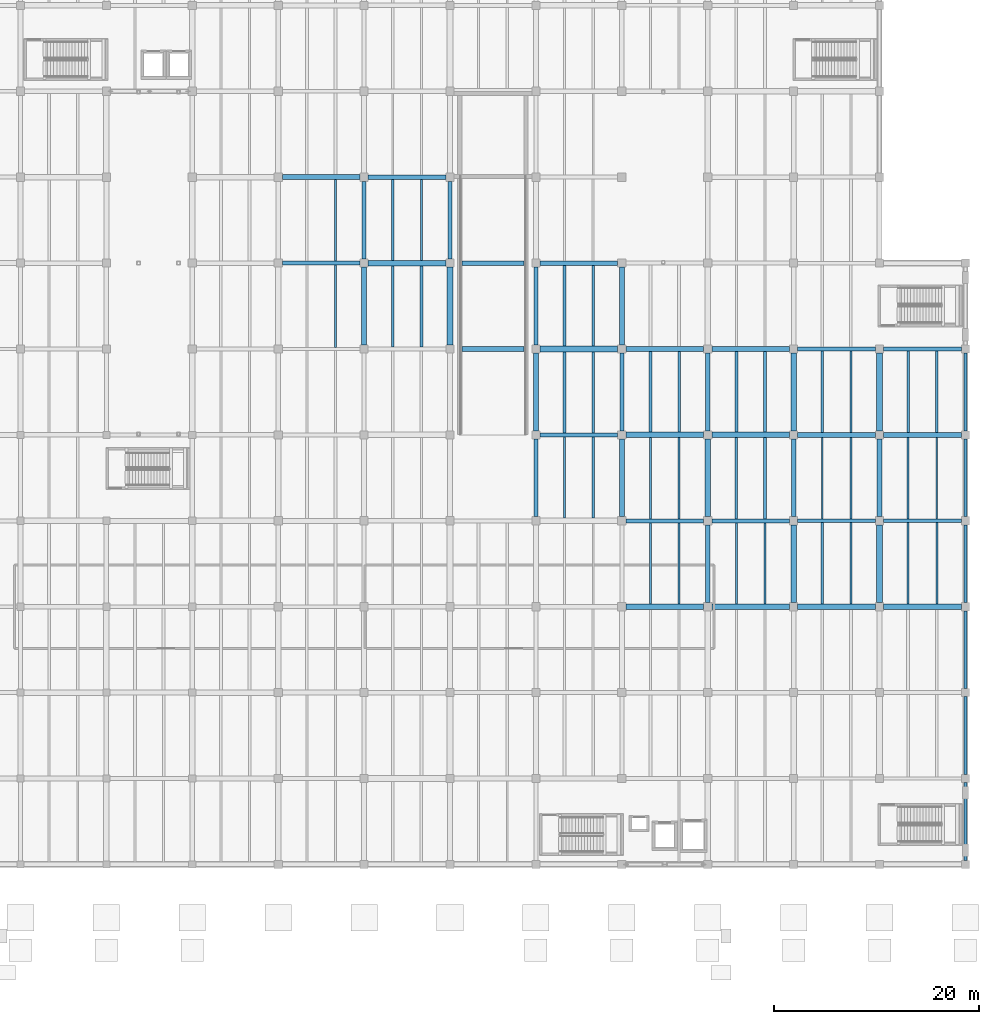
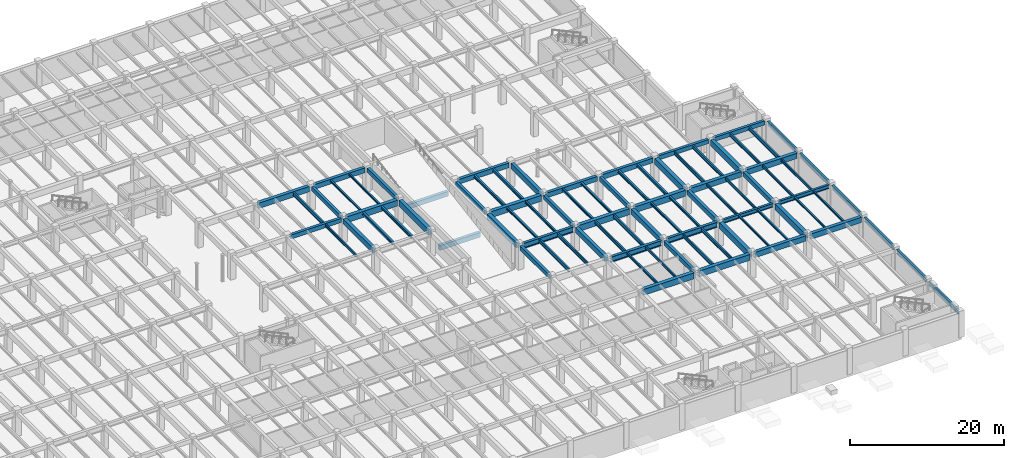
# One storey, part 24 of 63: 86 beams.
"""IFC4 building model written with IfcOpenShell, lengths in metres."""

import ifcopenshell
import ifcopenshell.guid

model = None  # the IFC model being written
_history = None  # IfcOwnerHistory: only IFC2X3 demands one
_inside = {}  # id of a spatial element -> (the spatial element, [elements in it])
_under = {}  # id of a project, library or spatial element -> (it, [spatial elements below it])
_declared = {}  # id of a project -> (the project, [libraries it declares])
_typed = {}  # id of a type object -> (the type object, [elements of that type])
_made_of = {}  # id of a material, layer set ... -> (it, [elements and type objects made of it])


def new_model(schema):
    """Start an empty IFC model of exactly this schema.

    Asked for "IFC4X3", IfcOpenShell would pick the latest addendum, in which some entities
    have other attributes; the version numbers below select the first issue.
    IFC2X3 requires an IfcOwnerHistory on every rooted entity: one is made here for all.
    """
    global model, _history
    if schema == "IFC4X3":
        model = ifcopenshell.file(schema_version=(4, 3, 0, 0))
    else:
        model = ifcopenshell.file(schema=schema)
    _inside.clear()
    _under.clear()
    _declared.clear()
    _typed.clear()
    _made_of.clear()
    _history = None
    if model.schema == "IFC2X3":
        org = make("IfcOrganization", Name="unknown")
        user = make(
            "IfcPersonAndOrganization",
            ThePerson=make("IfcPerson", FamilyName="unknown"),
            TheOrganization=org,
        )
        app = make(
            "IfcApplication",
            ApplicationDeveloper=org,
            Version="unknown",
            ApplicationFullName="unknown",
            ApplicationIdentifier="unknown",
        )
        _history = make(
            "IfcOwnerHistory",
            OwningUser=user,
            OwningApplication=app,
            ChangeAction="ADDED",
            CreationDate=0,
        )
    return model


def make(cls, **values):
    """One entity of the class cls with the attributes given. An attribute that is None is left unset."""
    return model.create_entity(
        cls, **{name: value for name, value in values.items() if value is not None}
    )


def rooted(cls, **values):
    """An entity with a GlobalId (a new one), such as an element, a storey or a relation."""
    return make(cls, GlobalId=ifcopenshell.guid.new(), OwnerHistory=_history, **values)


def si_unit(unit_type, name, prefix=None):
    """IfcSIUnit, for example si_unit("LENGTHUNIT", "METRE", prefix="MILLI")."""
    return make("IfcSIUnit", UnitType=unit_type, Prefix=prefix, Name=name)


def assignment(units):
    """IfcUnitAssignment: the units of a project."""
    return None if units is None else make("IfcUnitAssignment", Units=units)


def point(xyz):
    """IfcCartesianPoint."""
    return None if xyz is None else make("IfcCartesianPoint", Coordinates=xyz)


def direction(xyz):
    """IfcDirection."""
    return None if xyz is None else make("IfcDirection", DirectionRatios=xyz)


def frame(location, z_axis=None, x_axis=None):
    """IfcAxis2Placement3D, a coordinate frame: its origin and axes. An axis left out is left unset."""
    return make(
        "IfcAxis2Placement3D",
        Location=point(location),
        Axis=direction(z_axis),
        RefDirection=direction(x_axis),
    )


def frame_2d(location, x_axis=None):
    """IfcAxis2Placement2D, a coordinate frame in the plane: its origin and x axis."""
    return make(
        "IfcAxis2Placement2D", Location=point(location), RefDirection=direction(x_axis)
    )


def origin():
    """The frame at (0, 0, 0) with its axes left unset."""
    return frame((0.0, 0.0, 0.0))


def origin_2d():
    """The frame at (0, 0) in the plane with its x axis left unset."""
    return frame_2d((0.0, 0.0))


def place(relative_to, where):
    """IfcLocalPlacement: puts the frame where relative to a parent placement (None: the world)."""
    return make(
        "IfcLocalPlacement", PlacementRelTo=relative_to, RelativePlacement=where
    )


def context(
    kind, dimensions, precision=None, world=None, true_north=None, identifier=None
):
    """IfcGeometricRepresentationContext, for example the 3D "Model" context."""
    return make(
        "IfcGeometricRepresentationContext",
        ContextIdentifier=identifier,
        ContextType=kind,
        CoordinateSpaceDimension=dimensions,
        Precision=precision,
        WorldCoordinateSystem=world,
        TrueNorth=true_north,
    )


def subcontext(parent, identifier, kind, view, scale=None):
    """IfcGeometricRepresentationSubContext, for example "Body" below "Model"."""
    return make(
        "IfcGeometricRepresentationSubContext",
        ContextIdentifier=identifier,
        ContextType=kind,
        ParentContext=parent,
        TargetScale=scale,
        TargetView=view,
    )


def project(units=None, contexts=None):
    """IfcProject with its units and contexts."""
    return rooted(
        "IfcProject",
        Name="project",
        RepresentationContexts=contexts,
        UnitsInContext=assignment(units),
    )


def spatial(cls, under=None, at=None, **own):
    """A site, building, storey or space (cls), placed at a placement, below another one or the project."""
    s = rooted(cls, ObjectPlacement=at, **own)
    if under is not None:
        _under.setdefault(under.id(), (under, []))[1].append(s)
    return s


def profile(cls, at=None, kind="AREA", **sizes):
    """A parametric profile (cls). Its sizes go by their IFC names, for example OverallWidth=200.0."""
    return make(cls, ProfileType=kind, Position=at, **sizes)


def rectangle(**sizes):
    """IfcRectangleProfileDef."""
    return profile("IfcRectangleProfileDef", **sizes)


def i_section(**sizes):
    """IfcIShapeProfileDef."""
    return profile("IfcIShapeProfileDef", **sizes)


def extrude(swept, where, along, depth):
    """IfcExtrudedAreaSolid: the profile swept, set in the frame where, extruded along a direction by depth."""
    return make(
        "IfcExtrudedAreaSolid",
        SweptArea=swept,
        Position=where,
        ExtrudedDirection=direction(along),
        Depth=depth,
    )


def shape(context_of_items, identifier, shape_type, items):
    """IfcShapeRepresentation: the items that make up one representation, for example the "Body"."""
    return make(
        "IfcShapeRepresentation",
        ContextOfItems=context_of_items,
        RepresentationIdentifier=identifier,
        RepresentationType=shape_type,
        Items=items,
    )


def material(Name=None, Category=None):
    """IfcMaterial."""
    return make("IfcMaterial", Name=Name, Category=Category)


def material_profile(
    of_material, cross_section, Name=None, Category=None, Priority=None
):
    """IfcMaterialProfile: a cross section and its material."""
    return make(
        "IfcMaterialProfile",
        Name=Name,
        Material=of_material,
        Profile=cross_section,
        Priority=Priority,
        Category=Category,
    )


def profile_set(profiles, Name=None, composite=None):
    """IfcMaterialProfileSet."""
    return make(
        "IfcMaterialProfileSet",
        Name=Name,
        MaterialProfiles=profiles,
        CompositeProfile=composite,
    )


def made_of(thing, what):
    """Note that an element or type object is made of a material, layer set ...; save() writes the relation."""
    if what is not None:
        _made_of.setdefault(what.id(), (what, []))[1].append(thing)
    return thing


def type_object(cls, material=None, **own):
    """A type object (cls), such as IfcWallType, which elements share."""
    return made_of(rooted(cls, **own), material)


def element(
    cls,
    number,
    at=None,
    inside=None,
    cuts=None,
    type_object=None,
    material=None,
    context=None,
    identifier="Body",
    shape_type=None,
    held_by="IfcProductDefinitionShape",
    body=None,
    shapes=None,
    **own,
):
    """One element of the class cls, such as IfcWall. Its Tag is "e" and its number.

    at: its placement. inside: the storey or other place that contains it. cuts: it is an
    opening in that element (IfcRelVoidsElement). A single representation is given by context,
    identifier, shape_type and body (its items); several are given by shapes. held_by: the class
    of the entity that holds the representations. save() writes the other relations.
    """
    e = rooted(cls, Tag="e%d" % number, ObjectPlacement=at, **own)
    if body is not None:
        shapes = [shape(context, identifier, shape_type, body)]
    if shapes is not None:
        e.Representation = make(held_by, Representations=shapes)
    if inside is not None:
        _inside.setdefault(inside.id(), (inside, []))[1].append(e)
    if cuts is not None:
        rooted(
            "IfcRelVoidsElement", RelatingBuildingElement=cuts, RelatedOpeningElement=e
        )
    if type_object is not None:
        _typed.setdefault(type_object.id(), (type_object, []))[1].append(e)
    return made_of(e, material)


def aggregate(whole, parts):
    """IfcRelAggregates: a whole, such as a stair, and the parts it consists of."""
    return rooted("IfcRelAggregates", RelatingObject=whole, RelatedObjects=parts)


def save(model, path):
    """Write the relations noted so far, then the file.

    IfcRelAggregates (storeys below a building ...), IfcRelContainedInSpatialStructure (elements
    in a storey), IfcRelDefinesByType, IfcRelAssociatesMaterial and IfcRelDeclares: one each for
    every whole, place, type object, material and project.
    """
    for whole, parts in _under.values():
        aggregate(whole, parts)
    for where, things in _inside.values():
        rooted(
            "IfcRelContainedInSpatialStructure",
            RelatedElements=things,
            RelatingStructure=where,
        )
    for kind, things in _typed.values():
        rooted("IfcRelDefinesByType", RelatedObjects=things, RelatingType=kind)
    for what, things in _made_of.values():
        rooted("IfcRelAssociatesMaterial", RelatedObjects=things, RelatingMaterial=what)
    for by, libraries in _declared.values():
        rooted("IfcRelDeclares", RelatingContext=by, RelatedDefinitions=libraries)
    model.write(path)


model = new_model("IFC4")

# Units and contexts
model_context = context("Model", 3, precision=1e-05, world=origin(), true_north=direction((0.0, 1.0)))
body_context = subcontext(model_context, "Body", "Model", "MODEL_VIEW")
ifc_project = project(units=[si_unit("LENGTHUNIT", "METRE"), si_unit("AREAUNIT", "SQUARE_METRE"), si_unit("VOLUMEUNIT", "CUBIC_METRE"), si_unit("PLANEANGLEUNIT", "RADIAN"), si_unit("MASSUNIT", "GRAM", prefix="KILO")], contexts=[model_context])

# Site, building, storey
site_placement = place(None, origin())
site = spatial("IfcSite", under=ifc_project, at=site_placement, CompositionType="ELEMENT")
building_placement = place(site_placement, origin())
building = spatial("IfcBuilding", under=site, at=building_placement, Name="Cumbredor Promenade Congress Hotel", CompositionType="ELEMENT")
storey_placement = place(building_placement, frame((0.0, 0.0, -4.199951171875)))
storey = spatial("IfcBuildingStorey", under=building, at=storey_placement, Name="B01", CompositionType="ELEMENT", Elevation=-4.199951171875)

# Beams
ifc_material_1 = material(Name="Concrete C40/50", Category="concrete")
ifc_material_profile_1 = material_profile(ifc_material_1, rectangle(XDim=0.39990234375, YDim=0.64990234375, at=origin_2d()), Name="RC BEAM 400x650")
ifc_profile_set_1 = profile_set([ifc_material_profile_1], Name="Concrete C40/50")
beam_type_1 = type_object("IfcBeamType", Name="BM-RC-400x650", PredefinedType="BEAM", material=ifc_profile_set_1)
beam_1_placement = place(storey_placement, frame((118.0, 67.199951171875, 3.52490234375), z_axis=(1.0, 0.0, 0.0), x_axis=(0.0, 1.0, 0.0)))
element("IfcBeam", 1, at=beam_1_placement, inside=storey, type_object=beam_type_1, Name="L00 X-Grid Beam 343", PredefinedType="BEAM", context=body_context, shape_type="SweptSolid", body=[
    extrude(rectangle(XDim=0.39990234375, YDim=0.64990234375, at=origin_2d()), origin(), (0.0, 0.0, 1.0), 7.60009765625),
])
for number, where, z_axis, x_axis, name in (
    (2, (126.0, 67.60009765625, 3.52490234375), (0.0, 1.0, 0.0), (-1.0, 0.0, 0.0), "L00 Y-Grid Beam 371"),
    (3, (134.39990234375, 67.60009765625, 3.52490234375), (0.0, 1.0, 0.0), (-1.0, 0.0, 0.0), "L00 Y-Grid Beam 395"),
):
    element("IfcBeam", number, at=place(storey_placement, frame(where, z_axis=z_axis, x_axis=x_axis)), inside=storey, type_object=beam_type_1, Name=name, PredefinedType="BEAM", context=body_context, shape_type="SweptSolid", body=[
        extrude(rectangle(XDim=0.39990234375, YDim=0.64990234375, at=origin_2d()), origin(), (0.0, 0.0, 1.0), 7.599853515625),
    ])
for number, where, z_axis, x_axis, name in (
    (4, (142.800048828125, 42.39990234375, 3.52490234375), (0.0, 1.0, 0.0), (-1.0, 0.0, 0.0), "L00 Y-Grid Beam 415"),
    (5, (142.800048828125, 59.199951171875, 3.52490234375), (0.0, 1.0, 0.0), (-1.0, 0.0, 0.0), "L00 Y-Grid Beam 419"),
):
    element("IfcBeam", number, at=place(storey_placement, frame(where, z_axis=z_axis, x_axis=x_axis)), inside=storey, type_object=beam_type_1, Name=name, PredefinedType="BEAM", context=body_context, shape_type="SweptSolid", body=[
        extrude(rectangle(XDim=0.39990234375, YDim=0.64990234375, at=origin_2d()), origin(), (0.0, 0.0, 1.0), 7.60009765625),
    ])
beam_2_placement = place(storey_placement, frame((151.199951171875, 50.800048828125, 3.52490234375), z_axis=(0.0, 1.0, 0.0), x_axis=(-1.0, 0.0, 0.0)))
element("IfcBeam", 6, at=beam_2_placement, inside=storey, type_object=beam_type_1, Name="L00 Y-Grid Beam 443", PredefinedType="BEAM", context=body_context, shape_type="SweptSolid", body=[
    extrude(rectangle(XDim=0.39990234375, YDim=0.64990234375, at=origin_2d()), origin(), (0.0, 0.0, 1.0), 7.599853515625),
])
beam_3_placement = place(storey_placement, frame((159.60009765625, 34.0, 3.52490234375), z_axis=(0.0, 1.0, 0.0), x_axis=(-1.0, 0.0, 0.0)))
element("IfcBeam", 7, at=beam_3_placement, inside=storey, type_object=beam_type_1, Name="L00 Y-Grid Beam 463", PredefinedType="BEAM", context=body_context, shape_type="SweptSolid", body=[
    extrude(rectangle(XDim=0.39990234375, YDim=0.64990234375, at=origin_2d()), origin(), (0.0, 0.0, 1.0), 7.60009765625),
])
beam_4_placement = place(storey_placement, frame((159.60009765625, 50.800048828125, 3.52490234375), z_axis=(0.0, 1.0, 0.0), x_axis=(-1.0, 0.0, 0.0)))
element("IfcBeam", 8, at=beam_4_placement, inside=storey, type_object=beam_type_1, Name="L00 Y-Grid Beam 467", PredefinedType="BEAM", context=body_context, shape_type="SweptSolid", body=[
    extrude(rectangle(XDim=0.39990234375, YDim=0.64990234375, at=origin_2d()), origin(), (0.0, 0.0, 1.0), 7.599853515625),
])
beam_5_placement = place(storey_placement, frame((168.39990234375, 58.800048828125, 3.52490234375), z_axis=(1.0, 0.0, 0.0), x_axis=(0.0, 1.0, 0.0)))
element("IfcBeam", 9, at=beam_5_placement, inside=storey, type_object=beam_type_1, Name="L00 X-Grid Beam 495", PredefinedType="BEAM", context=body_context, shape_type="SweptSolid", body=[
    extrude(rectangle(XDim=0.39990234375, YDim=0.64990234375, at=origin_2d()), origin(), (0.0, 0.0, 1.0), 7.60009765625),
])
beam_6_placement = place(storey_placement, frame((176.800048828125, 58.800048828125, 3.52490234375), z_axis=(1.0, 0.0, 0.0), x_axis=(0.0, 1.0, 0.0)))
element("IfcBeam", 10, at=beam_6_placement, inside=storey, type_object=beam_type_1, Name="L00 X-Grid Beam 519", PredefinedType="BEAM", context=body_context, shape_type="SweptSolid", body=[
    extrude(rectangle(XDim=0.39990234375, YDim=0.64990234375, at=origin_2d()), origin(), (0.0, 0.0, 1.0), 7.599853515625),
])
ifc_material_profile_2 = material_profile(ifc_material_1, rectangle(XDim=0.449951171875, YDim=0.75, at=origin_2d()), Name="RC BEAM 450x750")
ifc_profile_set_2 = profile_set([ifc_material_profile_2], Name="Concrete C40/50")
beam_type_2 = type_object("IfcBeamType", Name="BM-RC-450x750", PredefinedType="BEAM", material=ifc_profile_set_2)
for number, where, z_axis, x_axis, name in (
    (11, (126.39990234375, 75.60009765625, 3.474853515625), (1.0, 0.0, 0.0), (0.0, 1.0, 0.0), "L00 X-Grid Beam 372"),
    (12, (143.199951171875, 67.199951171875, 3.474853515625), (1.0, 0.0, 0.0), (0.0, 1.0, 0.0), "L00 X-Grid Beam 420"),
):
    element("IfcBeam", number, at=place(storey_placement, frame(where, z_axis=z_axis, x_axis=x_axis)), inside=storey, type_object=beam_type_2, Name=name, PredefinedType="BEAM", context=body_context, shape_type="SweptSolid", body=[
        extrude(rectangle(XDim=0.449951171875, YDim=0.75, at=origin_2d()), origin(), (0.0, 0.0, 1.0), 7.60009765625),
    ])
beam_7_placement = place(storey_placement, frame((151.60009765625, 58.800048828125, 3.474853515625), z_axis=(1.0, 0.0, 0.0), x_axis=(0.0, 1.0, 0.0)))
element("IfcBeam", 13, at=beam_7_placement, inside=storey, type_object=beam_type_2, Name="L00 X-Grid Beam 444", PredefinedType="BEAM", context=body_context, shape_type="SweptSolid", body=[
    extrude(rectangle(XDim=0.449951171875, YDim=0.75, at=origin_2d()), origin(), (0.0, 0.0, 1.0), 7.599853515625),
])
for number, where, z_axis, x_axis, name in (
    (14, (160.0, 58.800048828125, 3.474853515625), (1.0, 0.0, 0.0), (0.0, 1.0, 0.0), "L00 X-Grid Beam 468"),
    (15, (168.0, 42.39990234375, 3.474853515625), (0.0, 1.0, 0.0), (-1.0, 0.0, 0.0), "L00 Y-Grid Beam 492"),
    (16, (176.39990234375, 42.39990234375, 3.474853515625), (0.0, 1.0, 0.0), (-1.0, 0.0, 0.0), "L00 Y-Grid Beam 516"),
):
    element("IfcBeam", number, at=place(storey_placement, frame(where, z_axis=z_axis, x_axis=x_axis)), inside=storey, type_object=beam_type_2, Name=name, PredefinedType="BEAM", context=body_context, shape_type="SweptSolid", body=[
        extrude(rectangle(XDim=0.449951171875, YDim=0.75, at=origin_2d()), origin(), (0.0, 0.0, 1.0), 7.60009765625),
    ])
for number, where, z_axis, x_axis, name in (
    (17, (135.550048828125, 58.800048828125, 0.74169921875), (1.0, 0.0, 0.0), (0.0, 1.0, 0.0), "B01 Vehicle Ramp Transverse Support Beam 1"),
    (18, (135.550048828125, 67.199951171875, 2.1416015625), (1.0, 0.0, 0.0), (0.0, 1.0, 0.0), "B01 Vehicle Ramp Transverse Support Beam 2"),
):
    element("IfcBeam", number, at=place(storey_placement, frame(where, z_axis=z_axis, x_axis=x_axis)), inside=storey, type_object=beam_type_2, Name=name, PredefinedType="BEAM", context=body_context, shape_type="SweptSolid", body=[
        extrude(rectangle(XDim=0.449951171875, YDim=0.75, at=origin_2d()), origin(), (0.0, 0.0, 1.0), 6.099853515625),
    ])
ifc_material_profile_3 = material_profile(ifc_material_1, rectangle(XDim=0.5, YDim=0.85009765625, at=origin_2d()), Name="RC BEAM 500x850")
ifc_profile_set_3 = profile_set([ifc_material_profile_3], Name="Concrete C40/50")
beam_type_3 = type_object("IfcBeamType", Name="BM-RC-500x850", PredefinedType="BEAM", material=ifc_profile_set_3)
for number, where, z_axis, x_axis, name in (
    (19, (118.0, 75.60009765625, 3.425048828125), (1.0, 0.0, 0.0), (0.0, 1.0, 0.0), "L00 X-Grid Beam 345"),
    (20, (126.0, 59.199951171875, 3.425048828125), (0.0, 1.0, 0.0), (-1.0, 0.0, 0.0), "L00 Y-Grid Beam 369"),
):
    element("IfcBeam", number, at=place(storey_placement, frame(where, z_axis=z_axis, x_axis=x_axis)), inside=storey, type_object=beam_type_3, Name=name, PredefinedType="BEAM", context=body_context, shape_type="SweptSolid", body=[
        extrude(rectangle(XDim=0.5, YDim=0.85009765625, at=origin_2d()), origin(), (0.0, 0.0, 1.0), 7.60009765625),
    ])
beam_8_placement = place(storey_placement, frame((142.800048828125, 50.800048828125, 3.425048828125), z_axis=(0.0, 1.0, 0.0), x_axis=(-1.0, 0.0, 0.0)))
element("IfcBeam", 21, at=beam_8_placement, inside=storey, type_object=beam_type_3, Name="L00 Y-Grid Beam 417", PredefinedType="BEAM", context=body_context, shape_type="SweptSolid", body=[
    extrude(rectangle(XDim=0.5, YDim=0.85009765625, at=origin_2d()), origin(), (0.0, 0.0, 1.0), 7.599853515625),
])
for number, where, z_axis, x_axis, name in (
    (22, (151.199951171875, 42.39990234375, 3.425048828125), (0.0, 1.0, 0.0), (-1.0, 0.0, 0.0), "L00 Y-Grid Beam 441"),
    (23, (151.199951171875, 59.199951171875, 3.425048828125), (0.0, 1.0, 0.0), (-1.0, 0.0, 0.0), "L00 Y-Grid Beam 445"),
    (24, (159.60009765625, 42.39990234375, 3.425048828125), (0.0, 1.0, 0.0), (-1.0, 0.0, 0.0), "L00 Y-Grid Beam 465"),
    (25, (168.39990234375, 33.60009765625, 3.425048828125), (1.0, 0.0, 0.0), (0.0, 1.0, 0.0), "L00 X-Grid Beam 489"),
    (26, (168.39990234375, 50.39990234375, 3.425048828125), (1.0, 0.0, 0.0), (0.0, 1.0, 0.0), "L00 X-Grid Beam 493"),
):
    element("IfcBeam", number, at=place(storey_placement, frame(where, z_axis=z_axis, x_axis=x_axis)), inside=storey, type_object=beam_type_3, Name=name, PredefinedType="BEAM", context=body_context, shape_type="SweptSolid", body=[
        extrude(rectangle(XDim=0.5, YDim=0.85009765625, at=origin_2d()), origin(), (0.0, 0.0, 1.0), 7.60009765625),
    ])
for number, where, z_axis, x_axis, name in (
    (27, (176.800048828125, 33.60009765625, 3.425048828125), (1.0, 0.0, 0.0), (0.0, 1.0, 0.0), "L00 X-Grid Beam 513"),
    (28, (176.800048828125, 50.39990234375, 3.425048828125), (1.0, 0.0, 0.0), (0.0, 1.0, 0.0), "L00 X-Grid Beam 517"),
):
    element("IfcBeam", number, at=place(storey_placement, frame(where, z_axis=z_axis, x_axis=x_axis)), inside=storey, type_object=beam_type_3, Name=name, PredefinedType="BEAM", context=body_context, shape_type="SweptSolid", body=[
        extrude(rectangle(XDim=0.5, YDim=0.85009765625, at=origin_2d()), origin(), (0.0, 0.0, 1.0), 7.599853515625),
    ])
ifc_material_profile_4 = material_profile(ifc_material_1, rectangle(XDim=0.550048828125, YDim=0.949951171875, at=origin_2d()), Name="RC BEAM 550x950")
ifc_profile_set_4 = profile_set([ifc_material_profile_4], Name="Concrete C40/50")
beam_type_4 = type_object("IfcBeamType", Name="BM-RC-550x950", PredefinedType="BEAM", material=ifc_profile_set_4)
for number, where, z_axis, x_axis, name in (
    (29, (126.39990234375, 67.199951171875, 3.375), (1.0, 0.0, 0.0), (0.0, 1.0, 0.0), "L00 X-Grid Beam 370"),
    (30, (134.39990234375, 59.199951171875, 3.375), (0.0, 1.0, 0.0), (-1.0, 0.0, 0.0), "L00 Y-Grid Beam 394"),
    (31, (143.199951171875, 58.800048828125, 3.375), (1.0, 0.0, 0.0), (0.0, 1.0, 0.0), "L00 X-Grid Beam 418"),
):
    element("IfcBeam", number, at=place(storey_placement, frame(where, z_axis=z_axis, x_axis=x_axis)), inside=storey, type_object=beam_type_4, Name=name, PredefinedType="BEAM", context=body_context, shape_type="SweptSolid", body=[
        extrude(rectangle(XDim=0.550048828125, YDim=0.949951171875, at=origin_2d()), origin(), (0.0, 0.0, 1.0), 7.60009765625),
    ])
for number, where, z_axis, x_axis, name in (
    (32, (151.60009765625, 33.60009765625, 3.375), (1.0, 0.0, 0.0), (0.0, 1.0, 0.0), "L00 X-Grid Beam 438"),
    (33, (151.60009765625, 50.39990234375, 3.375), (1.0, 0.0, 0.0), (0.0, 1.0, 0.0), "L00 X-Grid Beam 442"),
):
    element("IfcBeam", number, at=place(storey_placement, frame(where, z_axis=z_axis, x_axis=x_axis)), inside=storey, type_object=beam_type_4, Name=name, PredefinedType="BEAM", context=body_context, shape_type="SweptSolid", body=[
        extrude(rectangle(XDim=0.550048828125, YDim=0.949951171875, at=origin_2d()), origin(), (0.0, 0.0, 1.0), 7.599853515625),
    ])
for number, where, z_axis, x_axis, name in (
    (34, (160.0, 33.60009765625, 3.375), (1.0, 0.0, 0.0), (0.0, 1.0, 0.0), "L00 X-Grid Beam 462"),
    (35, (160.0, 50.39990234375, 3.375), (1.0, 0.0, 0.0), (0.0, 1.0, 0.0), "L00 X-Grid Beam 466"),
    (36, (168.0, 34.0, 3.375), (0.0, 1.0, 0.0), (-1.0, 0.0, 0.0), "L00 Y-Grid Beam 490"),
):
    element("IfcBeam", number, at=place(storey_placement, frame(where, z_axis=z_axis, x_axis=x_axis)), inside=storey, type_object=beam_type_4, Name=name, PredefinedType="BEAM", context=body_context, shape_type="SweptSolid", body=[
        extrude(rectangle(XDim=0.550048828125, YDim=0.949951171875, at=origin_2d()), origin(), (0.0, 0.0, 1.0), 7.60009765625),
    ])
beam_9_placement = place(storey_placement, frame((168.0, 50.800048828125, 3.375), z_axis=(0.0, 1.0, 0.0), x_axis=(-1.0, 0.0, 0.0)))
element("IfcBeam", 37, at=beam_9_placement, inside=storey, type_object=beam_type_4, Name="L00 Y-Grid Beam 494", PredefinedType="BEAM", context=body_context, shape_type="SweptSolid", body=[
    extrude(rectangle(XDim=0.550048828125, YDim=0.949951171875, at=origin_2d()), origin(), (0.0, 0.0, 1.0), 7.599853515625),
])
beam_10_placement = place(storey_placement, frame((176.39990234375, 34.0, 3.375), z_axis=(0.0, 1.0, 0.0), x_axis=(-1.0, 0.0, 0.0)))
element("IfcBeam", 38, at=beam_10_placement, inside=storey, type_object=beam_type_4, Name="L00 Y-Grid Beam 514", PredefinedType="BEAM", context=body_context, shape_type="SweptSolid", body=[
    extrude(rectangle(XDim=0.550048828125, YDim=0.949951171875, at=origin_2d()), origin(), (0.0, 0.0, 1.0), 7.60009765625),
])
beam_11_placement = place(storey_placement, frame((176.39990234375, 50.800048828125, 3.375), z_axis=(0.0, 1.0, 0.0), x_axis=(-1.0, 0.0, 0.0)))
element("IfcBeam", 39, at=beam_11_placement, inside=storey, type_object=beam_type_4, Name="L00 Y-Grid Beam 518", PredefinedType="BEAM", context=body_context, shape_type="SweptSolid", body=[
    extrude(rectangle(XDim=0.550048828125, YDim=0.949951171875, at=origin_2d()), origin(), (0.0, 0.0, 1.0), 7.599853515625),
])
ifc_material_2 = material(Name="Steel ASTM A992 Grade 50", Category="steel")
ifc_material_profile_5 = material_profile(ifc_material_2, i_section(OverallWidth=0.323974609375, OverallDepth=0.611083984375, WebThickness=0.0126953125, FlangeThickness=0.01904296875, at=origin_2d()), Name="W24X104")
ifc_profile_set_5 = profile_set([ifc_material_profile_5], Name="Steel ASTM A992 Grade 50")
beam_type_5 = type_object("IfcBeamType", Name="BM-W24X104", PredefinedType="BEAM", material=ifc_profile_set_5)
beam_12_placement = place(storey_placement, frame((168.39990234375, 42.0, 3.54443359375), z_axis=(1.0, 0.0, 0.0), x_axis=(0.0, 1.0, 0.0)))
element("IfcBeam", 40, at=beam_12_placement, inside=storey, type_object=beam_type_5, Name="L00 X-Grid Beam 491", PredefinedType="BEAM", context=body_context, shape_type="SweptSolid", body=[
    extrude(i_section(OverallWidth=0.323974609375, OverallDepth=0.611083984375, WebThickness=0.0126953125, FlangeThickness=0.01904296875, at=origin_2d()), origin(), (0.0, 0.0, 1.0), 7.60009765625),
])
beam_13_placement = place(storey_placement, frame((176.800048828125, 42.0, 3.54443359375), z_axis=(1.0, 0.0, 0.0), x_axis=(0.0, 1.0, 0.0)))
element("IfcBeam", 41, at=beam_13_placement, inside=storey, type_object=beam_type_5, Name="L00 X-Grid Beam 515", PredefinedType="BEAM", context=body_context, shape_type="SweptSolid", body=[
    extrude(i_section(OverallWidth=0.323974609375, OverallDepth=0.611083984375, WebThickness=0.0126953125, FlangeThickness=0.01904296875, at=origin_2d()), origin(), (0.0, 0.0, 1.0), 7.599853515625),
])
ifc_material_profile_6 = material_profile(ifc_material_2, i_section(OverallWidth=0.39990234375, OverallDepth=0.85498046875, WebThickness=0.018310546875, FlangeThickness=0.029296875, at=origin_2d()), Name="W33X201")
ifc_profile_set_6 = profile_set([ifc_material_profile_6], Name="Steel ASTM A992 Grade 50")
beam_type_6 = type_object("IfcBeamType", Name="BM-W33X201", PredefinedType="BEAM", material=ifc_profile_set_6)
beam_14_placement = place(storey_placement, frame((143.199951171875, 50.39990234375, 3.42236328125), z_axis=(1.0, 0.0, 0.0), x_axis=(0.0, 1.0, 0.0)))
element("IfcBeam", 42, at=beam_14_placement, inside=storey, type_object=beam_type_6, Name="L00 X-Grid Beam 416", PredefinedType="BEAM", context=body_context, shape_type="SweptSolid", body=[
    extrude(i_section(OverallWidth=0.39990234375, OverallDepth=0.85498046875, WebThickness=0.018310546875, FlangeThickness=0.029296875, at=origin_2d()), origin(), (0.0, 0.0, 1.0), 7.60009765625),
])
beam_15_placement = place(storey_placement, frame((151.60009765625, 42.0, 3.42236328125), z_axis=(1.0, 0.0, 0.0), x_axis=(0.0, 1.0, 0.0)))
element("IfcBeam", 43, at=beam_15_placement, inside=storey, type_object=beam_type_6, Name="L00 X-Grid Beam 440", PredefinedType="BEAM", context=body_context, shape_type="SweptSolid", body=[
    extrude(i_section(OverallWidth=0.39990234375, OverallDepth=0.85498046875, WebThickness=0.018310546875, FlangeThickness=0.029296875, at=origin_2d()), origin(), (0.0, 0.0, 1.0), 7.599853515625),
])
beam_16_placement = place(storey_placement, frame((160.0, 42.0, 3.42236328125), z_axis=(1.0, 0.0, 0.0), x_axis=(0.0, 1.0, 0.0)))
element("IfcBeam", 44, at=beam_16_placement, inside=storey, type_object=beam_type_6, Name="L00 X-Grid Beam 464", PredefinedType="BEAM", context=body_context, shape_type="SweptSolid", body=[
    extrude(i_section(OverallWidth=0.39990234375, OverallDepth=0.85498046875, WebThickness=0.018310546875, FlangeThickness=0.029296875, at=origin_2d()), origin(), (0.0, 0.0, 1.0), 7.60009765625),
])
ifc_material_profile_7 = material_profile(ifc_material_2, i_section(OverallWidth=0.202880859375, OverallDepth=0.302978515625, WebThickness=0.007568359375, FlangeThickness=0.01318359375, at=origin_2d()), Name="W12X40")
ifc_profile_set_7 = profile_set([ifc_material_profile_7], Name="Steel ASTM A992 Grade 50")
beam_type_7 = type_object("IfcBeamType", Name="JST-W12X40", PredefinedType="JOIST", material=ifc_profile_set_7)
for number, where, z_axis, x_axis, name in (
    (45, (128.800048828125, 67.47509765625, 3.698486328125), (0.0, 1.0, 0.0), (-1.0, 0.0, 0.0), "L00 Secondary Floor Joist 0319"),
    (46, (131.60009765625, 67.47509765625, 3.698486328125), (0.0, 1.0, 0.0), (-1.0, 0.0, 0.0), "L00 Secondary Floor Joist 0320"),
):
    element("IfcBeam", number, at=place(storey_placement, frame(where, z_axis=z_axis, x_axis=x_axis)), inside=storey, type_object=beam_type_7, Name=name, PredefinedType="JOIST", context=body_context, shape_type="SweptSolid", body=[
        extrude(i_section(OverallWidth=0.202880859375, OverallDepth=0.302978515625, WebThickness=0.007568359375, FlangeThickness=0.01318359375, at=origin_2d()), origin(), (0.0, 0.0, 1.0), 7.89990234375),
    ])
for number, where, z_axis, x_axis, name in (
    (47, (170.800048828125, 33.85009765625, 3.698486328125), (0.0, 1.0, 0.0), (-1.0, 0.0, 0.0), "L00 Secondary Floor Joist 0424"),
    (48, (173.60009765625, 33.85009765625, 3.698486328125), (0.0, 1.0, 0.0), (-1.0, 0.0, 0.0), "L00 Secondary Floor Joist 0425"),
    (49, (179.199951171875, 33.85009765625, 3.698486328125), (0.0, 1.0, 0.0), (-1.0, 0.0, 0.0), "L00 Secondary Floor Joist 0444"),
    (50, (182.0, 33.85009765625, 3.698486328125), (0.0, 1.0, 0.0), (-1.0, 0.0, 0.0), "L00 Secondary Floor Joist 0445"),
):
    element("IfcBeam", number, at=place(storey_placement, frame(where, z_axis=z_axis, x_axis=x_axis)), inside=storey, type_object=beam_type_7, Name=name, PredefinedType="JOIST", context=body_context, shape_type="SweptSolid", body=[
        extrude(i_section(OverallWidth=0.202880859375, OverallDepth=0.302978515625, WebThickness=0.007568359375, FlangeThickness=0.01318359375, at=origin_2d()), origin(), (0.0, 0.0, 1.0), 7.98779296875),
    ])
ifc_material_profile_8 = material_profile(ifc_material_2, i_section(OverallWidth=0.2548828125, OverallDepth=0.35693359375, WebThickness=0.010498046875, FlangeThickness=0.018310546875, at=origin_2d()), Name="W14X68")
ifc_profile_set_8 = profile_set([ifc_material_profile_8], Name="Steel ASTM A992 Grade 50")
beam_type_8 = type_object("IfcBeamType", Name="JST-W14X68", PredefinedType="JOIST", material=ifc_profile_set_8)
for number, where, z_axis, x_axis, name in (
    (51, (145.60009765625, 50.60009765625, 3.67138671875), (0.0, 1.0, 0.0), (-1.0, 0.0, 0.0), "L00 Secondary Floor Joist 0355"),
    (52, (148.39990234375, 50.60009765625, 3.67138671875), (0.0, 1.0, 0.0), (-1.0, 0.0, 0.0), "L00 Secondary Floor Joist 0356"),
):
    element("IfcBeam", number, at=place(storey_placement, frame(where, z_axis=z_axis, x_axis=x_axis)), inside=storey, type_object=beam_type_8, Name=name, PredefinedType="JOIST", context=body_context, shape_type="SweptSolid", body=[
        extrude(i_section(OverallWidth=0.2548828125, OverallDepth=0.35693359375, WebThickness=0.010498046875, FlangeThickness=0.018310546875, at=origin_2d()), origin(), (0.0, 0.0, 1.0), 7.9248046875),
    ])
for number, where, z_axis, x_axis, name in (
    (53, (154.0, 50.675048828125, 3.67138671875), (0.0, 1.0, 0.0), (-1.0, 0.0, 0.0), "L00 Secondary Floor Joist 0380"),
    (54, (156.800048828125, 50.675048828125, 3.67138671875), (0.0, 1.0, 0.0), (-1.0, 0.0, 0.0), "L00 Secondary Floor Joist 0381"),
):
    element("IfcBeam", number, at=place(storey_placement, frame(where, z_axis=z_axis, x_axis=x_axis)), inside=storey, type_object=beam_type_8, Name=name, PredefinedType="JOIST", context=body_context, shape_type="SweptSolid", body=[
        extrude(i_section(OverallWidth=0.2548828125, OverallDepth=0.35693359375, WebThickness=0.010498046875, FlangeThickness=0.018310546875, at=origin_2d()), origin(), (0.0, 0.0, 1.0), 7.89990234375),
    ])
for number, where, z_axis, x_axis, name in (
    (55, (162.39990234375, 42.199951171875, 3.67138671875), (0.0, 1.0, 0.0), (-1.0, 0.0, 0.0), "L00 Secondary Floor Joist 0400"),
    (56, (165.199951171875, 42.199951171875, 3.67138671875), (0.0, 1.0, 0.0), (-1.0, 0.0, 0.0), "L00 Secondary Floor Joist 0401"),
):
    element("IfcBeam", number, at=place(storey_placement, frame(where, z_axis=z_axis, x_axis=x_axis)), inside=storey, type_object=beam_type_8, Name=name, PredefinedType="JOIST", context=body_context, shape_type="SweptSolid", body=[
        extrude(i_section(OverallWidth=0.2548828125, OverallDepth=0.35693359375, WebThickness=0.010498046875, FlangeThickness=0.018310546875, at=origin_2d()), origin(), (0.0, 0.0, 1.0), 7.925048828125),
    ])
ifc_material_profile_9 = material_profile(ifc_material_2, i_section(OverallWidth=0.180908203125, OverallDepth=0.4169921875, WebThickness=0.010986328125, FlangeThickness=0.018310546875, at=origin_2d()), Name="W16X57")
ifc_profile_set_9 = profile_set([ifc_material_profile_9], Name="Steel ASTM A992 Grade 50")
beam_type_9 = type_object("IfcBeamType", Name="JST-W16X57", PredefinedType="JOIST", material=ifc_profile_set_9)
beam_17_placement = place(storey_placement, frame((123.199951171875, 58.9619140625, 3.641357421875), z_axis=(0.0, 1.0, 0.0), x_axis=(-1.0, 0.0, 0.0)))
element("IfcBeam", 57, at=beam_17_placement, inside=storey, type_object=beam_type_9, Name="L00 Secondary Floor Joist 0292", PredefinedType="JOIST", context=body_context, shape_type="SweptSolid", body=[
    extrude(i_section(OverallWidth=0.180908203125, OverallDepth=0.4169921875, WebThickness=0.010986328125, FlangeThickness=0.018310546875, at=origin_2d()), origin(), (0.0, 0.0, 1.0), 8.0380859375),
])
for number, where, z_axis, x_axis, name in (
    (58, (154.0, 33.875, 3.641357421875), (0.0, 1.0, 0.0), (-1.0, 0.0, 0.0), "L00 Secondary Floor Joist 0376"),
    (59, (156.800048828125, 33.875, 3.641357421875), (0.0, 1.0, 0.0), (-1.0, 0.0, 0.0), "L00 Secondary Floor Joist 0377"),
):
    element("IfcBeam", number, at=place(storey_placement, frame(where, z_axis=z_axis, x_axis=x_axis)), inside=storey, type_object=beam_type_9, Name=name, PredefinedType="JOIST", context=body_context, shape_type="SweptSolid", body=[
        extrude(i_section(OverallWidth=0.180908203125, OverallDepth=0.4169921875, WebThickness=0.010986328125, FlangeThickness=0.018310546875, at=origin_2d()), origin(), (0.0, 0.0, 1.0), 7.925048828125),
    ])
for number, where, z_axis, x_axis, name in (
    (60, (170.800048828125, 42.162109375, 3.641357421875), (0.0, 1.0, 0.0), (-1.0, 0.0, 0.0), "L00 Secondary Floor Joist 0426"),
    (61, (173.60009765625, 42.162109375, 3.641357421875), (0.0, 1.0, 0.0), (-1.0, 0.0, 0.0), "L00 Secondary Floor Joist 0427"),
    (62, (179.199951171875, 42.162109375, 3.641357421875), (0.0, 1.0, 0.0), (-1.0, 0.0, 0.0), "L00 Secondary Floor Joist 0446"),
    (63, (182.0, 42.162109375, 3.641357421875), (0.0, 1.0, 0.0), (-1.0, 0.0, 0.0), "L00 Secondary Floor Joist 0447"),
):
    element("IfcBeam", number, at=place(storey_placement, frame(where, z_axis=z_axis, x_axis=x_axis)), inside=storey, type_object=beam_type_9, Name=name, PredefinedType="JOIST", context=body_context, shape_type="SweptSolid", body=[
        extrude(i_section(OverallWidth=0.180908203125, OverallDepth=0.4169921875, WebThickness=0.010986328125, FlangeThickness=0.018310546875, at=origin_2d()), origin(), (0.0, 0.0, 1.0), 7.98779296875),
    ])
ifc_material_profile_10 = material_profile(ifc_material_2, i_section(OverallWidth=0.280029296875, OverallDepth=0.462890625, WebThickness=0.0107421875, FlangeThickness=0.017333984375, at=origin_2d()), Name="W18X76")
ifc_profile_set_10 = profile_set([ifc_material_profile_10], Name="Steel ASTM A992 Grade 50")
beam_type_10 = type_object("IfcBeamType", Name="JST-W18X76", PredefinedType="JOIST", material=ifc_profile_set_10)
for number, where, z_axis, x_axis, name in (
    (64, (128.800048828125, 59.0, 3.618408203125), (0.0, 1.0, 0.0), (-1.0, 0.0, 0.0), "L00 Secondary Floor Joist 0317"),
    (65, (131.60009765625, 59.0, 3.618408203125), (0.0, 1.0, 0.0), (-1.0, 0.0, 0.0), "L00 Secondary Floor Joist 0318"),
):
    element("IfcBeam", number, at=place(storey_placement, frame(where, z_axis=z_axis, x_axis=x_axis)), inside=storey, type_object=beam_type_10, Name=name, PredefinedType="JOIST", context=body_context, shape_type="SweptSolid", body=[
        extrude(i_section(OverallWidth=0.280029296875, OverallDepth=0.462890625, WebThickness=0.0107421875, FlangeThickness=0.017333984375, at=origin_2d()), origin(), (0.0, 0.0, 1.0), 7.925048828125),
    ])
for number, where, z_axis, x_axis, name in (
    (66, (145.60009765625, 59.074951171875, 3.618408203125), (0.0, 1.0, 0.0), (-1.0, 0.0, 0.0), "L00 Secondary Floor Joist 0357"),
    (67, (148.39990234375, 59.074951171875, 3.618408203125), (0.0, 1.0, 0.0), (-1.0, 0.0, 0.0), "L00 Secondary Floor Joist 0358"),
):
    element("IfcBeam", number, at=place(storey_placement, frame(where, z_axis=z_axis, x_axis=x_axis)), inside=storey, type_object=beam_type_10, Name=name, PredefinedType="JOIST", context=body_context, shape_type="SweptSolid", body=[
        extrude(i_section(OverallWidth=0.280029296875, OverallDepth=0.462890625, WebThickness=0.0107421875, FlangeThickness=0.017333984375, at=origin_2d()), origin(), (0.0, 0.0, 1.0), 7.900146484375),
    ])
for number, where, z_axis, x_axis, name in (
    (68, (162.39990234375, 50.675048828125, 3.618408203125), (0.0, 1.0, 0.0), (-1.0, 0.0, 0.0), "L00 Secondary Floor Joist 0402"),
    (69, (165.199951171875, 50.675048828125, 3.618408203125), (0.0, 1.0, 0.0), (-1.0, 0.0, 0.0), "L00 Secondary Floor Joist 0403"),
):
    element("IfcBeam", number, at=place(storey_placement, frame(where, z_axis=z_axis, x_axis=x_axis)), inside=storey, type_object=beam_type_10, Name=name, PredefinedType="JOIST", context=body_context, shape_type="SweptSolid", body=[
        extrude(i_section(OverallWidth=0.280029296875, OverallDepth=0.462890625, WebThickness=0.0107421875, FlangeThickness=0.017333984375, at=origin_2d()), origin(), (0.0, 0.0, 1.0), 7.89990234375),
    ])
ifc_material_profile_11 = material_profile(ifc_material_2, i_section(OverallWidth=0.214111328125, OverallDepth=0.549072265625, WebThickness=0.0146484375, FlangeThickness=0.023681640625, at=origin_2d()), Name="W21X93")
ifc_profile_set_11 = profile_set([ifc_material_profile_11], Name="Steel ASTM A992 Grade 50")
beam_type_11 = type_object("IfcBeamType", Name="JST-W21X93", PredefinedType="JOIST", material=ifc_profile_set_11)
beam_18_placement = place(storey_placement, frame((123.199951171875, 67.39990234375, 3.575439453125), z_axis=(0.0, 1.0, 0.0), x_axis=(-1.0, 0.0, 0.0)))
element("IfcBeam", 70, at=beam_18_placement, inside=storey, type_object=beam_type_11, Name="L00 Secondary Floor Joist 0294", PredefinedType="JOIST", context=body_context, shape_type="SweptSolid", body=[
    extrude(i_section(OverallWidth=0.214111328125, OverallDepth=0.549072265625, WebThickness=0.0146484375, FlangeThickness=0.023681640625, at=origin_2d()), origin(), (0.0, 0.0, 1.0), 7.9501953125),
])
for number, where, z_axis, x_axis, name in (
    (71, (145.60009765625, 42.27490234375, 3.575439453125), (0.0, 1.0, 0.0), (-1.0, 0.0, 0.0), "L00 Secondary Floor Joist 0353"),
    (72, (148.39990234375, 42.27490234375, 3.575439453125), (0.0, 1.0, 0.0), (-1.0, 0.0, 0.0), "L00 Secondary Floor Joist 0354"),
    (73, (154.0, 42.199951171875, 3.575439453125), (0.0, 1.0, 0.0), (-1.0, 0.0, 0.0), "L00 Secondary Floor Joist 0378"),
    (74, (156.800048828125, 42.199951171875, 3.575439453125), (0.0, 1.0, 0.0), (-1.0, 0.0, 0.0), "L00 Secondary Floor Joist 0379"),
    (75, (162.39990234375, 33.875, 3.575439453125), (0.0, 1.0, 0.0), (-1.0, 0.0, 0.0), "L00 Secondary Floor Joist 0398"),
    (76, (165.199951171875, 33.875, 3.575439453125), (0.0, 1.0, 0.0), (-1.0, 0.0, 0.0), "L00 Secondary Floor Joist 0399"),
):
    element("IfcBeam", number, at=place(storey_placement, frame(where, z_axis=z_axis, x_axis=x_axis)), inside=storey, type_object=beam_type_11, Name=name, PredefinedType="JOIST", context=body_context, shape_type="SweptSolid", body=[
        extrude(i_section(OverallWidth=0.214111328125, OverallDepth=0.549072265625, WebThickness=0.0146484375, FlangeThickness=0.023681640625, at=origin_2d()), origin(), (0.0, 0.0, 1.0), 7.925048828125),
    ])
for number, where, z_axis, x_axis, name in (
    (77, (170.800048828125, 50.64990234375, 3.575439453125), (0.0, 1.0, 0.0), (-1.0, 0.0, 0.0), "L00 Secondary Floor Joist 0428"),
    (78, (173.60009765625, 50.64990234375, 3.575439453125), (0.0, 1.0, 0.0), (-1.0, 0.0, 0.0), "L00 Secondary Floor Joist 0429"),
    (79, (179.199951171875, 50.64990234375, 3.575439453125), (0.0, 1.0, 0.0), (-1.0, 0.0, 0.0), "L00 Secondary Floor Joist 0448"),
    (80, (182.0, 50.64990234375, 3.575439453125), (0.0, 1.0, 0.0), (-1.0, 0.0, 0.0), "L00 Secondary Floor Joist 0449"),
):
    element("IfcBeam", number, at=place(storey_placement, frame(where, z_axis=z_axis, x_axis=x_axis)), inside=storey, type_object=beam_type_11, Name=name, PredefinedType="JOIST", context=body_context, shape_type="SweptSolid", body=[
        extrude(i_section(OverallWidth=0.214111328125, OverallDepth=0.549072265625, WebThickness=0.0146484375, FlangeThickness=0.023681640625, at=origin_2d()), origin(), (0.0, 0.0, 1.0), 7.9501953125),
    ])
ifc_material_profile_12 = material_profile(ifc_material_2, i_section(OverallWidth=0.323974609375, OverallDepth=0.611083984375, WebThickness=0.0126953125, FlangeThickness=0.01904296875, at=origin_2d()), Name="W24X104")
ifc_profile_set_12 = profile_set([ifc_material_profile_12], Name="Steel ASTM A992 Grade 50")
beam_type_12 = type_object("IfcBeamType", Name="SP-W24X104", PredefinedType="SPANDREL", material=ifc_profile_set_12)
beam_19_placement = place(storey_placement, frame((184.800048828125, 8.800048828125, 3.54443359375), z_axis=(0.0, 1.0, 0.0), x_axis=(-1.0, 0.0, 0.0)))
element("IfcBeam", 81, at=beam_19_placement, inside=storey, type_object=beam_type_12, Name="L00 Y-Grid Beam 527", PredefinedType="SPANDREL", context=body_context, shape_type="SweptSolid", body=[
    extrude(i_section(OverallWidth=0.323974609375, OverallDepth=0.611083984375, WebThickness=0.0126953125, FlangeThickness=0.01904296875, at=origin_2d()), origin(), (0.0, 0.0, 1.0), 7.599853515625),
])
beam_20_placement = place(storey_placement, frame((184.800048828125, 17.199951171875, 3.54443359375), z_axis=(0.0, 1.0, 0.0), x_axis=(-1.0, 0.0, 0.0)))
element("IfcBeam", 82, at=beam_20_placement, inside=storey, type_object=beam_type_12, Name="L00 Y-Grid Beam 528", PredefinedType="SPANDREL", context=body_context, shape_type="SweptSolid", body=[
    extrude(i_section(OverallWidth=0.323974609375, OverallDepth=0.611083984375, WebThickness=0.0126953125, FlangeThickness=0.01904296875, at=origin_2d()), origin(), (0.0, 0.0, 1.0), 7.60009765625),
])
beam_21_placement = place(storey_placement, frame((184.800048828125, 25.60009765625, 3.54443359375), z_axis=(0.0, 1.0, 0.0), x_axis=(-1.0, 0.0, 0.0)))
element("IfcBeam", 83, at=beam_21_placement, inside=storey, type_object=beam_type_12, Name="L00 Y-Grid Beam 529", PredefinedType="SPANDREL", context=body_context, shape_type="SweptSolid", body=[
    extrude(i_section(OverallWidth=0.323974609375, OverallDepth=0.611083984375, WebThickness=0.0126953125, FlangeThickness=0.01904296875, at=origin_2d()), origin(), (0.0, 0.0, 1.0), 7.599853515625),
])
for number, where, z_axis, x_axis, name in (
    (84, (184.800048828125, 34.0, 3.54443359375), (0.0, 1.0, 0.0), (-1.0, 0.0, 0.0), "L00 Y-Grid Beam 530"),
    (85, (184.800048828125, 42.39990234375, 3.54443359375), (0.0, 1.0, 0.0), (-1.0, 0.0, 0.0), "L00 Y-Grid Beam 531"),
):
    element("IfcBeam", number, at=place(storey_placement, frame(where, z_axis=z_axis, x_axis=x_axis)), inside=storey, type_object=beam_type_12, Name=name, PredefinedType="SPANDREL", context=body_context, shape_type="SweptSolid", body=[
        extrude(i_section(OverallWidth=0.323974609375, OverallDepth=0.611083984375, WebThickness=0.0126953125, FlangeThickness=0.01904296875, at=origin_2d()), origin(), (0.0, 0.0, 1.0), 7.60009765625),
    ])
beam_22_placement = place(storey_placement, frame((184.800048828125, 50.800048828125, 3.54443359375), z_axis=(0.0, 1.0, 0.0), x_axis=(-1.0, 0.0, 0.0)))
element("IfcBeam", 86, at=beam_22_placement, inside=storey, type_object=beam_type_12, Name="L00 Y-Grid Beam 532", PredefinedType="SPANDREL", context=body_context, shape_type="SweptSolid", body=[
    extrude(i_section(OverallWidth=0.323974609375, OverallDepth=0.611083984375, WebThickness=0.0126953125, FlangeThickness=0.01904296875, at=origin_2d()), origin(), (0.0, 0.0, 1.0), 7.599853515625),
])

save(model, "model.ifc")
